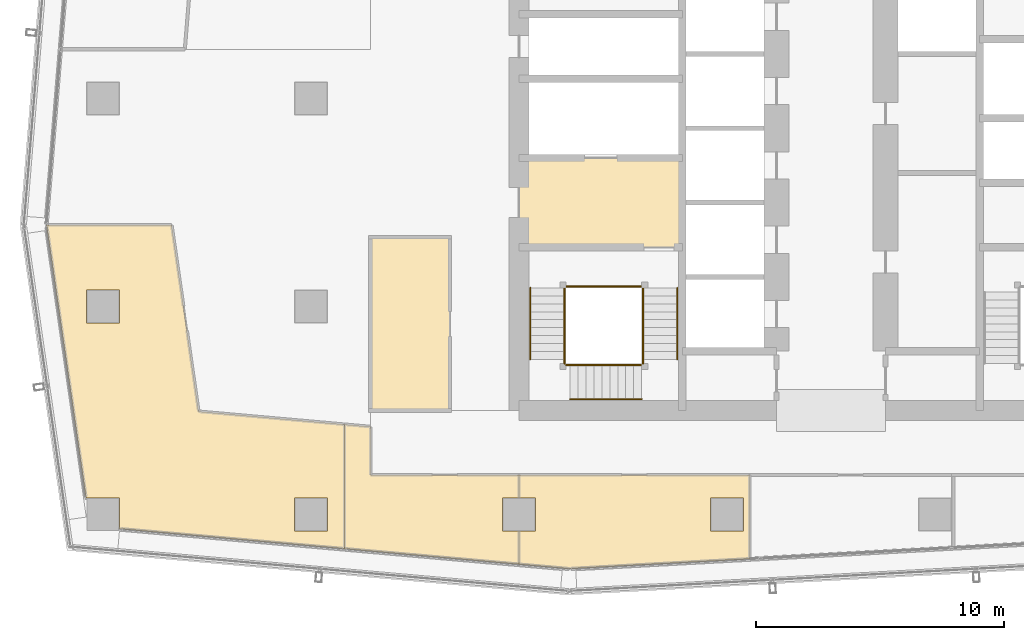
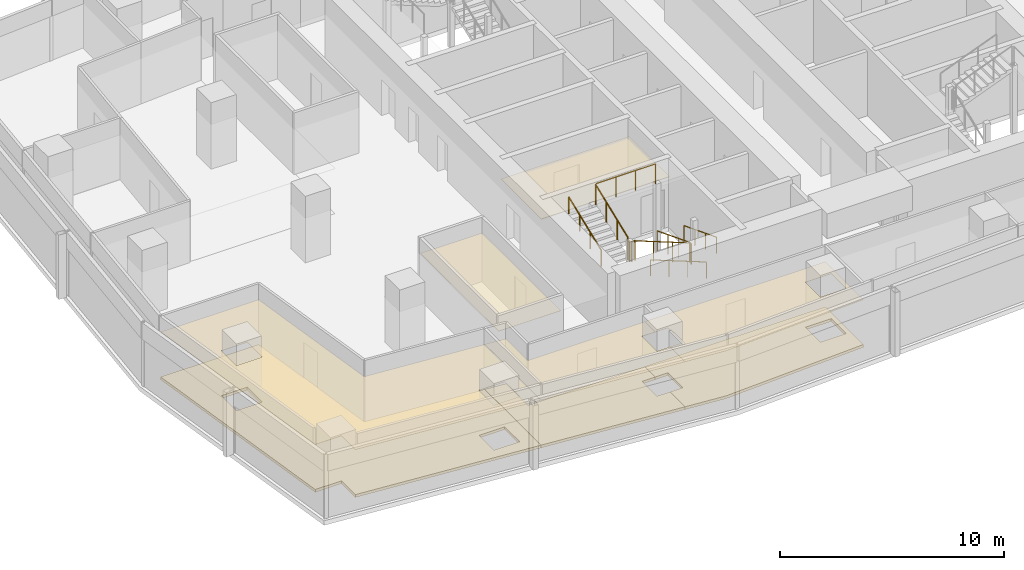
# One storey, part 24 of 28: 10 railings, 8 coverings.
"""IFC4 building model written with IfcOpenShell, lengths in metres."""

from ifc_helpers import new_model, si_unit, direction, frame, origin, origin_2d, place, context, subcontext, project, spatial, polyline, circle, outline, extrude, material, layer, layer_set, type_object, element, save


model = new_model("IFC4")

# Units and contexts
model_context = context("Model", 3, precision=1e-05, world=origin(), true_north=direction((0.0, 1.0)))
body_context = subcontext(model_context, "Body", "Model", "MODEL_VIEW")
ifc_project = project(units=[si_unit("LENGTHUNIT", "METRE"), si_unit("AREAUNIT", "SQUARE_METRE"), si_unit("VOLUMEUNIT", "CUBIC_METRE"), si_unit("PLANEANGLEUNIT", "RADIAN"), si_unit("MASSUNIT", "GRAM", prefix="KILO")], contexts=[model_context])

# Site, building, storey
site_placement = place(None, origin())
site = spatial("IfcSite", under=ifc_project, at=site_placement, CompositionType="ELEMENT")
building_placement = place(site_placement, origin())
building = spatial("IfcBuilding", under=site, at=building_placement, Name="Rekha Terrace Tower", CompositionType="ELEMENT")
storey_placement = place(building_placement, frame((0.0, 0.0, 253.85009765625)))
storey = spatial("IfcBuildingStorey", under=building, at=storey_placement, Name="L64", CompositionType="ELEMENT", Elevation=253.85009765625)

# Coverings
ifc_material_1 = material(Name="Mineral fibre tile in exposed grid", Category="finish")
ifc_layer_1 = layer(ifc_material_1, 0.02001953125)
ifc_layer_set_1 = layer_set([ifc_layer_1], Name="Mineral fibre tile in exposed grid")
covering_type_1 = type_object("IfcCoveringType", Name="CL1 600x1200 office grid ceiling", PredefinedType="CEILING", material=ifc_layer_set_1)
covering_1_placement = place(storey_placement, frame((0.0, 0.0, 2.579833984375)))
element("IfcCovering", 1, at=covering_1_placement, inside=storey, type_object=covering_type_1, Name="Ceiling L64-12", PredefinedType="CEILING", context=body_context, shape_type="SweptSolid", body=[
    extrude(outline(polyline([(6.12109375, 28.490966796875), (7.715087890625, 17.465087890625), (9.06494140625, 17.465087890625), (9.06494140625, 16.22705078125), (18.14892578125, 15.4189453125), (18.14892578125, 20.43896484375), (12.260986328125, 20.9619140625), (11.173095703125, 28.490966796875), (6.12109375, 28.490966796875)]), holes=[polyline([(17.465087890625, 17.465087890625), (17.465087890625, 16.135009765625), (16.135009765625, 16.135009765625), (16.135009765625, 17.465087890625), (17.465087890625, 17.465087890625)]), polyline([(9.06494140625, 25.864990234375), (9.06494140625, 24.534912109375), (7.735107421875, 24.534912109375), (7.735107421875, 25.864990234375), (9.06494140625, 25.864990234375)])]), origin(), (0.0, 0.0, 1.0), 0.02001953125),
])
covering_2_placement = place(storey_placement, frame((0.0, 0.0, 2.579833984375)))
element("IfcCovering", 2, at=covering_2_placement, inside=storey, type_object=covering_type_1, Name="Ceiling L64-13", PredefinedType="CEILING", context=body_context, shape_type="SweptSolid", body=[
    extrude(outline(polyline([(18.14990234375, 20.43896484375), (18.14990234375, 15.4189453125), (25.2060546875, 14.7919921875), (25.2060546875, 16.135009765625), (24.534912109375, 16.135009765625), (24.534912109375, 17.465087890625), (25.2060546875, 17.465087890625), (25.2060546875, 18.39990234375), (19.199951171875, 18.39990234375), (19.199951171875, 20.345947265625), (18.14990234375, 20.43896484375)])), origin(), (0.0, 0.0, 1.0), 0.02001953125),
])
covering_3_placement = place(storey_placement, frame((0.0, 0.0, 2.579833984375)))
element("IfcCovering", 3, at=covering_3_placement, inside=storey, type_object=covering_type_1, Name="Ceiling L64-14", PredefinedType="CEILING", context=body_context, shape_type="SweptSolid", body=[
    extrude(outline(polyline([(25.20703125, 14.7919921875), (27.221923828125, 14.613037109375), (34.50390625, 15.009033203125), (34.50390625, 18.39990234375), (25.20703125, 18.39990234375), (25.20703125, 17.465087890625), (25.864990234375, 17.465087890625), (25.864990234375, 16.135009765625), (25.20703125, 16.135009765625), (25.20703125, 14.7919921875)]), holes=[polyline([(34.264892578125, 16.135009765625), (32.93505859375, 16.135009765625), (32.93505859375, 17.465087890625), (34.264892578125, 17.465087890625), (34.264892578125, 16.135009765625)])]), origin(), (0.0, 0.0, 1.0), 0.02001953125),
])
ifc_material_2 = material(Name="Fibre cement board", Category="finish")
ifc_layer_2 = layer(ifc_material_2, 0.014892578125)
ifc_layer_set_2 = layer_set([ifc_layer_2], Name="Fibre cement board")
covering_type_2 = type_object("IfcCoveringType", Name="CL2 moisture-resistant board ceiling", PredefinedType="CEILING", material=ifc_layer_set_2)
covering_4_placement = place(storey_placement, frame((0.0, 0.0, 2.5849609375)))
element("IfcCovering", 4, at=covering_4_placement, inside=storey, type_object=covering_type_2, Name="Ceiling L64-WCM", PredefinedType="CEILING", context=body_context, shape_type="SweptSolid", body=[
    extrude(outline(polyline([(22.39990234375, 28.0), (19.199951171875, 28.0), (19.199951171875, 21.0), (22.39990234375, 21.0), (22.39990234375, 28.0)])), origin(), (0.0, 0.0, 1.0), 0.014892578125),
])
ifc_material_3 = material(Name="Powder-coated aluminium pan", Category="aluminium")
ifc_layer_3 = layer(ifc_material_3, 0.030029296875)
ifc_layer_set_3 = layer_set([ifc_layer_3], Name="Powder-coated aluminium pan")
covering_type_3 = type_object("IfcCoveringType", Name="CL3 300x1200 metal pan ceiling", PredefinedType="CEILING", material=ifc_layer_set_3)
covering_5_placement = place(storey_placement, frame((0.0, 0.0, 2.56982421875)))
element("IfcCovering", 5, at=covering_5_placement, inside=storey, type_object=covering_type_3, Name="Ceiling L64-FLB1", PredefinedType="CEILING", context=body_context, shape_type="SweptSolid", body=[
    extrude(outline(polyline([(31.800048828125, 31.199951171875), (25.199951171875, 31.199951171875), (25.199951171875, 27.60009765625), (31.800048828125, 27.60009765625), (31.800048828125, 31.199951171875)])), origin(), (0.0, 0.0, 1.0), 0.030029296875),
])

# Railings
ifc_material_4 = material(Name="Stainless steel balustrade", Category="steel")
railing_type_1 = type_object("IfcRailingType", Name="GR1 1100 stair guard", PredefinedType="GUARDRAIL", material=ifc_material_4)
railing_1_placement = place(storey_placement, frame((30.2099609375, 25.949951171875, 0.125)))
element("IfcRailing", 6, at=railing_1_placement, inside=storey, type_object=railing_type_1, Name="Guard ST1 L64 flight 1", PredefinedType="GUARDRAIL", context=body_context, shape_type="SweptSolid", body=[
    extrude(circle(Radius=0.02392578125, at=origin_2d()), frame((0.0, 0.0, 1.076171875), z_axis=(0.0, -0.931452331594, 0.363863372667), x_axis=(1.0, 0.0, 0.0)), (0.0, 0.0, 1.0), 3.091796875),
    extrude(circle(Radius=0.02099609375, at=origin_2d()), origin(), (0.0, 0.0, 1.0), 1.052001953125),
    extrude(circle(Radius=0.02099609375, at=origin_2d()), frame((0.0, -0.9599609375, 0.375)), (0.0, 0.0, 1.0), 1.052001953125),
    extrude(circle(Radius=0.02099609375, at=origin_2d()), frame((0.0, -1.919921875, 0.75)), (0.0, 0.0, 1.0), 1.052001953125),
    extrude(circle(Radius=0.02099609375, at=origin_2d()), frame((0.0, -2.8798828125, 1.125)), (0.0, 0.0, 1.0), 1.052001953125),
])
railing_2_placement = place(storey_placement, frame((30.14990234375, 22.840087890625, 1.375)))
element("IfcRailing", 7, at=railing_2_placement, inside=storey, type_object=railing_type_1, Name="Guard ST1 L64 flight 2", PredefinedType="GUARDRAIL", context=body_context, shape_type="SweptSolid", body=[
    extrude(circle(Radius=0.02392578125, at=origin_2d()), frame((0.0, 0.0, 1.076171875), z_axis=(-0.931452331594, 0.0, 0.363863372667), x_axis=(0.0, -1.0, 0.0)), (0.0, 0.0, 1.0), 3.091796875),
    extrude(circle(Radius=0.02099609375, at=origin_2d()), origin(), (0.0, 0.0, 1.0), 1.052001953125),
    extrude(circle(Radius=0.02099609375, at=origin_2d()), frame((-0.9599609375, 0.0, 0.375)), (0.0, 0.0, 1.0), 1.052001953125),
    extrude(circle(Radius=0.02099609375, at=origin_2d()), frame((-1.919921875, 0.0, 0.75)), (0.0, 0.0, 1.0), 1.052001953125),
    extrude(circle(Radius=0.02099609375, at=origin_2d()), frame((-2.8798828125, 0.0, 1.125)), (0.0, 0.0, 1.0), 1.052001953125),
])
railing_3_placement = place(storey_placement, frame((27.0400390625, 23.070068359375, 2.625)))
element("IfcRailing", 8, at=railing_3_placement, inside=storey, type_object=railing_type_1, Name="Guard ST1 L64 flight 3", PredefinedType="GUARDRAIL", context=body_context, shape_type="SweptSolid", body=[
    extrude(circle(Radius=0.02392578125, at=origin_2d()), frame((0.0, 0.0, 1.076171875), z_axis=(0.0, 0.931452331594, 0.363863372667), x_axis=(-1.0, 0.0, 0.0)), (0.0, 0.0, 1.0), 3.091796875),
    extrude(circle(Radius=0.02099609375, at=origin_2d()), origin(), (0.0, 0.0, 1.0), 1.052001953125),
    extrude(circle(Radius=0.02099609375, at=origin_2d()), frame((0.0, 0.9599609375, 0.375)), (0.0, 0.0, 1.0), 1.052001953125),
    extrude(circle(Radius=0.02099609375, at=origin_2d()), frame((0.0, 1.919921875, 0.75)), (0.0, 0.0, 1.0), 1.052001953125),
    extrude(circle(Radius=0.02099609375, at=origin_2d()), frame((0.0, 2.8798828125, 1.125)), (0.0, 0.0, 1.0), 1.052001953125),
])
railing_4_placement = place(storey_placement, frame((30.2099609375, 23.070068359375, 1.25)))
element("IfcRailing", 9, at=railing_4_placement, inside=storey, type_object=railing_type_1, Name="Guard ST1 L64 landing 1", PredefinedType="GUARDRAIL", context=body_context, shape_type="SweptSolid", body=[
    extrude(circle(Radius=0.02392578125, at=origin_2d()), frame((0.0, 0.0, 1.076171875), z_axis=(0.0, -1.0, 0.0), x_axis=(1.0, 0.0, 0.0)), (0.0, 0.0, 1.0), 0.170166015625),
    extrude(circle(Radius=0.02099609375, at=origin_2d()), origin(), (0.0, 0.0, 1.0), 1.052001953125),
    extrude(circle(Radius=0.02099609375, at=origin_2d()), frame((0.0, -0.170166015625, 0.0)), (0.0, 0.0, 1.0), 1.052001953125),
])
railing_5_placement = place(storey_placement, frame((27.27001953125, 22.840087890625, 2.5)))
element("IfcRailing", 10, at=railing_5_placement, inside=storey, type_object=railing_type_1, Name="Guard ST1 L64 landing 2", PredefinedType="GUARDRAIL", context=body_context, shape_type="SweptSolid", body=[
    extrude(circle(Radius=0.02392578125, at=origin_2d()), frame((0.0, 0.0, 1.076171875), z_axis=(-1.0, 0.0, 0.0), x_axis=(0.0, -1.0, 0.0)), (0.0, 0.0, 1.0), 0.169921875),
    extrude(circle(Radius=0.02099609375, at=origin_2d()), origin(), (0.0, 0.0, 1.0), 1.052001953125),
    extrude(circle(Radius=0.02099609375, at=origin_2d()), frame((-0.169921875, 0.0, 0.0)), (0.0, 0.0, 1.0), 1.052001953125),
])
railing_6_placement = place(storey_placement, frame((27.0400390625, 23.070068359375, 2.5)))
element("IfcRailing", 11, at=railing_6_placement, inside=storey, type_object=railing_type_1, Name="Guard ST1 L64 landing 3", PredefinedType="GUARDRAIL", context=body_context, shape_type="SweptSolid", body=[
    extrude(circle(Radius=0.02392578125, at=origin_2d()), frame((0.0, 0.0, 1.076171875), z_axis=(0.0, -1.0, 0.0), x_axis=(1.0, 0.0, 0.0)), (0.0, 0.0, 1.0), 0.170166015625),
    extrude(circle(Radius=0.02099609375, at=origin_2d()), origin(), (0.0, 0.0, 1.0), 1.052001953125),
    extrude(circle(Radius=0.02099609375, at=origin_2d()), frame((0.0, -0.170166015625, 0.0)), (0.0, 0.0, 1.0), 1.052001953125),
])
railing_7_placement = place(storey_placement, frame((30.14990234375, 26.010009765625, 3.75)))
element("IfcRailing", 12, at=railing_7_placement, inside=storey, type_object=railing_type_1, Name="Guard ST1 L64 landing 4", PredefinedType="GUARDRAIL", context=body_context, shape_type="SweptSolid", body=[
    extrude(circle(Radius=0.02392578125, at=origin_2d()), frame((0.0, 0.0, 1.076171875), z_axis=(-1.0, 0.0, 0.0), x_axis=(0.0, -1.0, 0.0)), (0.0, 0.0, 1.0), 3.0498046875),
    extrude(circle(Radius=0.02099609375, at=origin_2d()), origin(), (0.0, 0.0, 1.0), 1.052001953125),
    extrude(circle(Radius=0.02099609375, at=origin_2d()), frame((-1.0166015625, 0.0, 0.0)), (0.0, 0.0, 1.0), 1.052001953125),
    extrude(circle(Radius=0.02099609375, at=origin_2d()), frame((-2.033203125, 0.0, 0.0)), (0.0, 0.0, 1.0), 1.052001953125),
    extrude(circle(Radius=0.02099609375, at=origin_2d()), frame((-3.0498046875, 0.0, 0.0)), (0.0, 0.0, 1.0), 1.052001953125),
])
ifc_material_5 = material(Name="Stainless steel tube", Category="steel")
railing_type_2 = type_object("IfcRailingType", Name="HR1 900 stair handrail", PredefinedType="HANDRAIL", material=ifc_material_5)
railing_8_placement = place(storey_placement, frame((31.590087890625, 25.949951171875, 0.125)))
element("IfcRailing", 13, at=railing_8_placement, inside=storey, type_object=railing_type_2, Name="Handrail ST1 L64 flight 1", PredefinedType="HANDRAIL", context=body_context, shape_type="SweptSolid", body=[
    extrude(circle(Radius=0.02392578125, at=origin_2d()), frame((0.0, 0.0, 0.8759765625), z_axis=(0.0, -0.931452331594, 0.363863372667), x_axis=(1.0, 0.0, 0.0)), (0.0, 0.0, 1.0), 3.091796875),
    extrude(circle(Radius=0.02099609375, at=origin_2d()), origin(), (0.0, 0.0, 1.0), 0.851806640625),
    extrude(circle(Radius=0.02099609375, at=origin_2d()), frame((0.0, -0.9599609375, 0.375)), (0.0, 0.0, 1.0), 0.851806640625),
    extrude(circle(Radius=0.02099609375, at=origin_2d()), frame((0.0, -1.919921875, 0.75)), (0.0, 0.0, 1.0), 0.851806640625),
    extrude(circle(Radius=0.02099609375, at=origin_2d()), frame((0.0, -2.8798828125, 1.125)), (0.0, 0.0, 1.0), 0.851806640625),
])
railing_9_placement = place(storey_placement, frame((30.14990234375, 21.4599609375, 1.375)))
element("IfcRailing", 14, at=railing_9_placement, inside=storey, type_object=railing_type_2, Name="Handrail ST1 L64 flight 2", PredefinedType="HANDRAIL", context=body_context, shape_type="SweptSolid", body=[
    extrude(circle(Radius=0.02392578125, at=origin_2d()), frame((0.0, 0.0, 0.8759765625), z_axis=(-0.931452331594, 0.0, 0.363863372667), x_axis=(0.0, -1.0, 0.0)), (0.0, 0.0, 1.0), 3.091796875),
    extrude(circle(Radius=0.02099609375, at=origin_2d()), origin(), (0.0, 0.0, 1.0), 0.851806640625),
    extrude(circle(Radius=0.02099609375, at=origin_2d()), frame((-0.9599609375, 0.0, 0.375)), (0.0, 0.0, 1.0), 0.851806640625),
    extrude(circle(Radius=0.02099609375, at=origin_2d()), frame((-1.919921875, 0.0, 0.75)), (0.0, 0.0, 1.0), 0.851806640625),
    extrude(circle(Radius=0.02099609375, at=origin_2d()), frame((-2.8798828125, 0.0, 1.125)), (0.0, 0.0, 1.0), 0.851806640625),
])
railing_10_placement = place(storey_placement, frame((25.659912109375, 23.070068359375, 2.625)))
element("IfcRailing", 15, at=railing_10_placement, inside=storey, type_object=railing_type_2, Name="Handrail ST1 L64 flight 3", PredefinedType="HANDRAIL", context=body_context, shape_type="SweptSolid", body=[
    extrude(circle(Radius=0.02392578125, at=origin_2d()), frame((0.0, 0.0, 0.8759765625), z_axis=(0.0, 0.931452331594, 0.363863372667), x_axis=(-1.0, 0.0, 0.0)), (0.0, 0.0, 1.0), 3.091796875),
    extrude(circle(Radius=0.02099609375, at=origin_2d()), origin(), (0.0, 0.0, 1.0), 0.851806640625),
    extrude(circle(Radius=0.02099609375, at=origin_2d()), frame((0.0, 0.9599609375, 0.375)), (0.0, 0.0, 1.0), 0.851806640625),
    extrude(circle(Radius=0.02099609375, at=origin_2d()), frame((0.0, 1.919921875, 0.75)), (0.0, 0.0, 1.0), 0.851806640625),
    extrude(circle(Radius=0.02099609375, at=origin_2d()), frame((0.0, 2.8798828125, 1.125)), (0.0, 0.0, 1.0), 0.851806640625),
])

# Coverings
ifc_material_6 = material(Name="Calcium sulphate panels on steel pedestals", Category="steel")
ifc_layer_4 = layer(ifc_material_6, 0.14990234375)
ifc_layer_set_4 = layer_set([ifc_layer_4], Name="Calcium sulphate panels on steel pedestals")
covering_type_4 = type_object("IfcCoveringType", Name="RF1 150 raised access floor", PredefinedType="FLOORING", material=ifc_layer_set_4)
covering_6_placement = place(storey_placement, origin())
element("IfcCovering", 16, at=covering_6_placement, inside=storey, type_object=covering_type_4, Name="Raised floor L64-12", PredefinedType="FLOORING", context=body_context, shape_type="SweptSolid", body=[
    extrude(outline(polyline([(6.12109375, 28.490966796875), (7.715087890625, 17.465087890625), (9.06494140625, 17.465087890625), (9.06494140625, 16.22705078125), (18.14892578125, 15.4189453125), (18.14892578125, 20.43896484375), (12.260986328125, 20.9619140625), (11.173095703125, 28.490966796875), (6.12109375, 28.490966796875)]), holes=[polyline([(17.465087890625, 17.465087890625), (17.465087890625, 16.135009765625), (16.135009765625, 16.135009765625), (16.135009765625, 17.465087890625), (17.465087890625, 17.465087890625)]), polyline([(9.06494140625, 25.864990234375), (9.06494140625, 24.534912109375), (7.735107421875, 24.534912109375), (7.735107421875, 25.864990234375), (9.06494140625, 25.864990234375)])]), origin(), (0.0, 0.0, 1.0), 0.14990234375),
])
covering_7_placement = place(storey_placement, origin())
element("IfcCovering", 17, at=covering_7_placement, inside=storey, type_object=covering_type_4, Name="Raised floor L64-13", PredefinedType="FLOORING", context=body_context, shape_type="SweptSolid", body=[
    extrude(outline(polyline([(18.14990234375, 20.43896484375), (18.14990234375, 15.4189453125), (25.2060546875, 14.7919921875), (25.2060546875, 16.135009765625), (24.534912109375, 16.135009765625), (24.534912109375, 17.465087890625), (25.2060546875, 17.465087890625), (25.2060546875, 18.39990234375), (19.199951171875, 18.39990234375), (19.199951171875, 20.345947265625), (18.14990234375, 20.43896484375)])), origin(), (0.0, 0.0, 1.0), 0.14990234375),
])
covering_8_placement = place(storey_placement, origin())
element("IfcCovering", 18, at=covering_8_placement, inside=storey, type_object=covering_type_4, Name="Raised floor L64-14", PredefinedType="FLOORING", context=body_context, shape_type="SweptSolid", body=[
    extrude(outline(polyline([(25.20703125, 14.7919921875), (27.221923828125, 14.613037109375), (34.50390625, 15.009033203125), (34.50390625, 18.39990234375), (25.20703125, 18.39990234375), (25.20703125, 17.465087890625), (25.864990234375, 17.465087890625), (25.864990234375, 16.135009765625), (25.20703125, 16.135009765625), (25.20703125, 14.7919921875)]), holes=[polyline([(34.264892578125, 16.135009765625), (32.93505859375, 16.135009765625), (32.93505859375, 17.465087890625), (34.264892578125, 17.465087890625), (34.264892578125, 16.135009765625)])]), origin(), (0.0, 0.0, 1.0), 0.14990234375),
])

save(model, "model.ifc")
